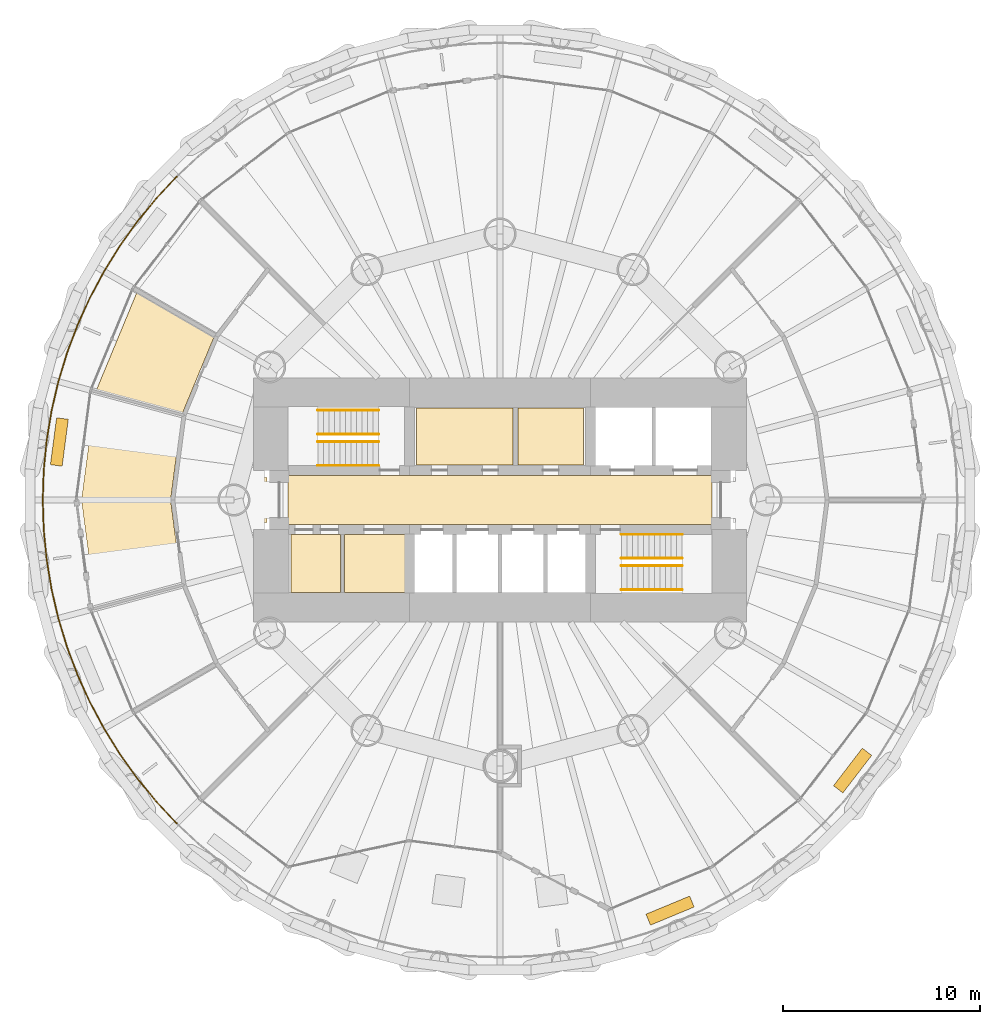
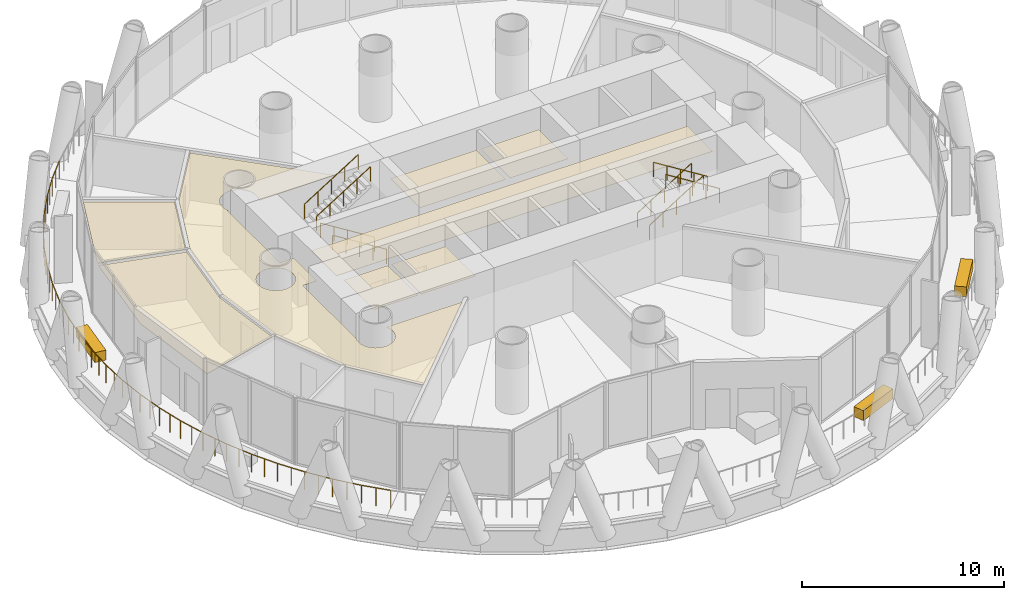
# One storey, part 13 of 15: 11 coverings, 9 railings.
"""IFC4 building model written with IfcOpenShell, lengths in metres."""

from ifc_helpers import new_model, si_unit, direction, frame, origin, origin_2d, place, context, subcontext, project, spatial, polyline, rectangle, circle, outline, extrude, material, layer, layer_set, type_object, element, save


model = new_model("IFC4")

# Units and contexts
model_context = context("Model", 3, precision=1e-05, world=origin(), true_north=direction((0.0, 1.0)))
body_context = subcontext(model_context, "Body", "Model", "MODEL_VIEW")
ifc_project = project(units=[si_unit("LENGTHUNIT", "METRE"), si_unit("AREAUNIT", "SQUARE_METRE"), si_unit("VOLUMEUNIT", "CUBIC_METRE"), si_unit("PLANEANGLEUNIT", "RADIAN"), si_unit("MASSUNIT", "GRAM", prefix="KILO")], contexts=[model_context])

# Site, building, storey
site_placement = place(None, origin())
site = spatial("IfcSite", under=ifc_project, at=site_placement, CompositionType="ELEMENT")
building_placement = place(site_placement, origin())
building = spatial("IfcBuilding", under=site, at=building_placement, Name="Qaws Media Tower", CompositionType="ELEMENT")
storey_placement = place(building_placement, frame((0.0, 0.0, 198.199951171875)))
storey = spatial("IfcBuildingStorey", under=building, at=storey_placement, Name="L45", CompositionType="ELEMENT", Elevation=198.199951171875)

# Covering
ifc_material_1 = material(Name="40 perforated acoustic panels with mineral wool backing, suspended", Category="mineral fibre")
ifc_layer_1 = layer(ifc_material_1, 0.0400390625)
ifc_layer_set_1 = layer_set([ifc_layer_1], Name="Acoustic panel ceiling 40")
covering_type_1 = type_object("IfcCoveringType", Name="Acoustic panel ceiling 40", PredefinedType="CEILING", material=ifc_layer_set_1)
covering_1_placement = place(storey_placement, frame((0.0, 0.0, 2.85009765625)))
element("IfcCovering", 1, at=covering_1_placement, inside=storey, type_object=covering_type_1, Name="CL3 ceiling L45-06 Prayer room (men)", PredefinedType="CEILING", context=body_context, shape_type="SweptSolid", body=[
    extrude(outline(polyline([(38.764892578125, 50.0), (39.473388671875, 55.383544921875), (43.84130859375, 54.21337890625), (43.28662109375, 50.0), (43.84130859375, 45.78662109375), (39.473388671875, 44.616455078125), (38.764892578125, 50.0)])), origin(), (0.0, 0.0, 1.0), 0.0400390625),
])

# Railing
ifc_material_2 = material(Name="Stainless steel and glass guard", Category="steel")
railing_type_1 = type_object("IfcRailingType", Name="Balcony guard 1100", PredefinedType="GUARDRAIL", material=ifc_material_2)
railing_placement = place(storey_placement, frame((43.59521484375, 66.40478515625, 0.0)))
element("IfcRailing", 2, at=railing_placement, inside=storey, type_object=railing_type_1, Name="GR1 balcony guard L45-2", PredefinedType="GUARDRAIL", context=body_context, shape_type="SweptSolid", body=[
    extrude(circle(Radius=0.02392578125, at=origin_2d()), frame((0.0, 0.0, 1.076171875), z_axis=(-0.683652198388, -0.729807969016, 0.0), x_axis=(0.729807969016, -0.683652198388, 0.0)), (0.0, 0.0, 1.0), 1.51806640625),
    extrude(circle(Radius=0.02392578125, at=origin_2d()), frame((-1.037841796875, -1.10791015625, 1.076171875), z_axis=(-0.634393000934, -0.773010685803, 0.0), x_axis=(0.773010685803, -0.634393000934, 0.0)), (0.0, 0.0, 1.0), 1.518310546875),
    extrude(circle(Radius=0.02392578125, at=origin_2d()), frame((-2.0009765625, -2.281494140625, 1.076171875), z_axis=(-0.582439258661, -0.812874227646, 0.0), x_axis=(0.812874227646, -0.582439258661, 0.0)), (0.0, 0.0, 1.0), 1.518310546875),
    extrude(circle(Radius=0.02392578125, at=origin_2d()), frame((-2.88525390625, -3.515625, 1.076171875), z_axis=(-0.528147294252, -0.849152775167, 0.0), x_axis=(0.849152775167, -0.528147294252, 0.0)), (0.0, 0.0, 1.0), 1.51806640625),
    extrude(circle(Radius=0.02392578125, at=origin_2d()), frame((-3.68701171875, -4.8046875, 1.076171875), z_axis=(-0.471297483953, -0.881974308934, 0.0), x_axis=(0.881974308934, -0.471297483953, 0.0)), (0.0, 0.0, 1.0), 1.518310546875),
    extrude(circle(Radius=0.02392578125, at=origin_2d()), frame((-4.402587890625, -6.143798828125, 1.076171875), z_axis=(-0.41279708395, -0.910823016553, 0.0), x_axis=(0.910823016553, -0.41279708395, 0.0)), (0.0, 0.0, 1.0), 1.518310546875),
    extrude(circle(Radius=0.02392578125, at=origin_2d()), frame((-5.029296875, -7.526611328125, 1.076171875), z_axis=(-0.352180618684, -0.935932055132, 0.0), x_axis=(0.935932055132, -0.352180618684, 0.0)), (0.0, 0.0, 1.0), 1.51806640625),
    extrude(circle(Radius=0.02392578125, at=origin_2d()), frame((-5.56396484375, -8.947509765625, 1.076171875), z_axis=(-0.290297524602, -0.956936438438, 0.0), x_axis=(0.956936438438, -0.290297524602, 0.0)), (0.0, 0.0, 1.0), 1.51806640625),
    extrude(circle(Radius=0.02392578125, at=origin_2d()), frame((-6.004638671875, -10.400146484375, 1.076171875), z_axis=(-0.227066936159, -0.973879153952, 0.0), x_axis=(0.973879153952, -0.227066936159, 0.0)), (0.0, 0.0, 1.0), 1.51806640625),
    extrude(circle(Radius=0.02392578125, at=origin_2d()), frame((-6.349365234375, -11.878662109375, 1.076171875), z_axis=(-0.162912287394, -0.986640555935, 0.0), x_axis=(0.986640555935, -0.162912287394, 0.0)), (0.0, 0.0, 1.0), 1.51806640625),
    extrude(circle(Radius=0.02392578125, at=origin_2d()), frame((-6.5966796875, -13.37646484375, 1.076171875), z_axis=(-0.098086686613, -0.995177874507, 0.0), x_axis=(0.995177874507, -0.098086686613, 0.0)), (0.0, 0.0, 1.0), 1.518310546875),
    extrude(circle(Radius=0.02392578125, at=origin_2d()), frame((-6.74560546875, -14.887451171875, 1.076171875), z_axis=(-0.032645502765, -0.999466993527, 0.0), x_axis=(0.999466993527, -0.032645502765, 0.0)), (0.0, 0.0, 1.0), 1.51806640625),
    extrude(circle(Radius=0.02392578125, at=origin_2d()), frame((-6.795166015625, -16.40478515625, 1.076171875), z_axis=(0.032645502765, -0.999466993527, 0.0), x_axis=(0.999466993527, 0.032645502765, 0.0)), (0.0, 0.0, 1.0), 1.51806640625),
    extrude(circle(Radius=0.02392578125, at=origin_2d()), frame((-6.74560546875, -17.922119140625, 1.076171875), z_axis=(0.098086686613, -0.995177874507, 0.0), x_axis=(0.995177874507, 0.098086686613, 0.0)), (0.0, 0.0, 1.0), 1.518310546875),
    extrude(circle(Radius=0.02392578125, at=origin_2d()), frame((-6.5966796875, -19.43310546875, 1.076171875), z_axis=(0.162912287394, -0.986640555935, 0.0), x_axis=(0.986640555935, 0.162912287394, 0.0)), (0.0, 0.0, 1.0), 1.51806640625),
    extrude(circle(Radius=0.02392578125, at=origin_2d()), frame((-6.349365234375, -20.930908203125, 1.076171875), z_axis=(0.227066936159, -0.973879153952, 0.0), x_axis=(0.973879153952, 0.227066936159, 0.0)), (0.0, 0.0, 1.0), 1.51806640625),
    extrude(circle(Radius=0.02392578125, at=origin_2d()), frame((-6.004638671875, -22.409423828125, 1.076171875), z_axis=(0.290297524602, -0.956936438438, 0.0), x_axis=(0.956936438438, 0.290297524602, 0.0)), (0.0, 0.0, 1.0), 1.51806640625),
    extrude(circle(Radius=0.02392578125, at=origin_2d()), frame((-5.56396484375, -23.862060546875, 1.076171875), z_axis=(0.352180618684, -0.935932055132, 0.0), x_axis=(0.935932055132, 0.352180618684, 0.0)), (0.0, 0.0, 1.0), 1.51806640625),
    extrude(circle(Radius=0.02392578125, at=origin_2d()), frame((-5.029296875, -25.282958984375, 1.076171875), z_axis=(0.41279708395, -0.910823016553, 0.0), x_axis=(0.910823016553, 0.41279708395, 0.0)), (0.0, 0.0, 1.0), 1.518310546875),
    extrude(circle(Radius=0.02392578125, at=origin_2d()), frame((-4.402587890625, -26.665771484375, 1.076171875), z_axis=(0.471297483953, -0.881974308934, 0.0), x_axis=(0.881974308934, 0.471297483953, 0.0)), (0.0, 0.0, 1.0), 1.518310546875),
    extrude(circle(Radius=0.02392578125, at=origin_2d()), frame((-3.68701171875, -28.0048828125, 1.076171875), z_axis=(0.528147294252, -0.849152775167, 0.0), x_axis=(0.849152775167, 0.528147294252, 0.0)), (0.0, 0.0, 1.0), 1.51806640625),
    extrude(circle(Radius=0.02392578125, at=origin_2d()), frame((-2.88525390625, -29.2939453125, 1.076171875), z_axis=(0.582439258661, -0.812874227646, 0.0), x_axis=(0.812874227646, 0.582439258661, 0.0)), (0.0, 0.0, 1.0), 1.518310546875),
    extrude(circle(Radius=0.02392578125, at=origin_2d()), frame((-2.0009765625, -30.528076171875, 1.076171875), z_axis=(0.634393000934, -0.773010685803, 0.0), x_axis=(0.773010685803, 0.634393000934, 0.0)), (0.0, 0.0, 1.0), 1.518310546875),
    extrude(circle(Radius=0.02392578125, at=origin_2d()), frame((-1.037841796875, -31.70166015625, 1.076171875), z_axis=(0.683652198388, -0.729807969016, 0.0), x_axis=(0.729807969016, 0.683652198388, 0.0)), (0.0, 0.0, 1.0), 1.51806640625),
    extrude(circle(Radius=0.02099609375, at=origin_2d()), origin(), (0.0, 0.0, 1.0), 1.052001953125),
    extrude(circle(Radius=0.02099609375, at=origin_2d()), frame((-0.51904296875, -0.553955078125, 0.0)), (0.0, 0.0, 1.0), 1.052001953125),
    extrude(circle(Radius=0.02099609375, at=origin_2d()), frame((-1.037841796875, -1.10791015625, 0.0)), (0.0, 0.0, 1.0), 1.052001953125),
    extrude(circle(Radius=0.02099609375, at=origin_2d()), frame((-1.51953125, -1.69482421875, 0.0)), (0.0, 0.0, 1.0), 1.052001953125),
    extrude(circle(Radius=0.02099609375, at=origin_2d()), frame((-2.0009765625, -2.281494140625, 0.0)), (0.0, 0.0, 1.0), 1.052001953125),
    extrude(circle(Radius=0.02099609375, at=origin_2d()), frame((-2.443115234375, -2.8984375, 0.0)), (0.0, 0.0, 1.0), 1.052001953125),
    extrude(circle(Radius=0.02099609375, at=origin_2d()), frame((-2.88525390625, -3.515625, 0.0)), (0.0, 0.0, 1.0), 1.052001953125),
    extrude(circle(Radius=0.02099609375, at=origin_2d()), frame((-3.2861328125, -4.16015625, 0.0)), (0.0, 0.0, 1.0), 1.052001953125),
    extrude(circle(Radius=0.02099609375, at=origin_2d()), frame((-3.68701171875, -4.8046875, 0.0)), (0.0, 0.0, 1.0), 1.052001953125),
    extrude(circle(Radius=0.02099609375, at=origin_2d()), frame((-4.044921875, -5.47412109375, 0.0)), (0.0, 0.0, 1.0), 1.052001953125),
    extrude(circle(Radius=0.02099609375, at=origin_2d()), frame((-4.402587890625, -6.143798828125, 0.0)), (0.0, 0.0, 1.0), 1.052001953125),
    extrude(circle(Radius=0.02099609375, at=origin_2d()), frame((-4.7158203125, -6.835205078125, 0.0)), (0.0, 0.0, 1.0), 1.052001953125),
    extrude(circle(Radius=0.02099609375, at=origin_2d()), frame((-5.029296875, -7.526611328125, 0.0)), (0.0, 0.0, 1.0), 1.052001953125),
    extrude(circle(Radius=0.02099609375, at=origin_2d()), frame((-5.296630859375, -8.237060546875, 0.0)), (0.0, 0.0, 1.0), 1.052001953125),
    extrude(circle(Radius=0.02099609375, at=origin_2d()), frame((-5.56396484375, -8.947509765625, 0.0)), (0.0, 0.0, 1.0), 1.052001953125),
    extrude(circle(Radius=0.02099609375, at=origin_2d()), frame((-5.7841796875, -9.673828125, 0.0)), (0.0, 0.0, 1.0), 1.052001953125),
    extrude(circle(Radius=0.02099609375, at=origin_2d()), frame((-6.004638671875, -10.400146484375, 0.0)), (0.0, 0.0, 1.0), 1.052001953125),
    extrude(circle(Radius=0.02099609375, at=origin_2d()), frame((-6.177001953125, -11.139404296875, 0.0)), (0.0, 0.0, 1.0), 1.052001953125),
    extrude(circle(Radius=0.02099609375, at=origin_2d()), frame((-6.349365234375, -11.878662109375, 0.0)), (0.0, 0.0, 1.0), 1.052001953125),
    extrude(circle(Radius=0.02099609375, at=origin_2d()), frame((-6.47314453125, -12.62744140625, 0.0)), (0.0, 0.0, 1.0), 1.052001953125),
    extrude(circle(Radius=0.02099609375, at=origin_2d()), frame((-6.5966796875, -13.37646484375, 0.0)), (0.0, 0.0, 1.0), 1.052001953125),
    extrude(circle(Radius=0.02099609375, at=origin_2d()), frame((-6.671142578125, -14.1318359375, 0.0)), (0.0, 0.0, 1.0), 1.052001953125),
    extrude(circle(Radius=0.02099609375, at=origin_2d()), frame((-6.74560546875, -14.887451171875, 0.0)), (0.0, 0.0, 1.0), 1.052001953125),
    extrude(circle(Radius=0.02099609375, at=origin_2d()), frame((-6.7705078125, -15.64599609375, 0.0)), (0.0, 0.0, 1.0), 1.052001953125),
    extrude(circle(Radius=0.02099609375, at=origin_2d()), frame((-6.795166015625, -16.40478515625, 0.0)), (0.0, 0.0, 1.0), 1.052001953125),
    extrude(circle(Radius=0.02099609375, at=origin_2d()), frame((-6.7705078125, -17.16357421875, 0.0)), (0.0, 0.0, 1.0), 1.052001953125),
    extrude(circle(Radius=0.02099609375, at=origin_2d()), frame((-6.74560546875, -17.922119140625, 0.0)), (0.0, 0.0, 1.0), 1.052001953125),
    extrude(circle(Radius=0.02099609375, at=origin_2d()), frame((-6.671142578125, -18.677734375, 0.0)), (0.0, 0.0, 1.0), 1.052001953125),
    extrude(circle(Radius=0.02099609375, at=origin_2d()), frame((-6.5966796875, -19.43310546875, 0.0)), (0.0, 0.0, 1.0), 1.052001953125),
    extrude(circle(Radius=0.02099609375, at=origin_2d()), frame((-6.47314453125, -20.18212890625, 0.0)), (0.0, 0.0, 1.0), 1.052001953125),
    extrude(circle(Radius=0.02099609375, at=origin_2d()), frame((-6.349365234375, -20.930908203125, 0.0)), (0.0, 0.0, 1.0), 1.052001953125),
    extrude(circle(Radius=0.02099609375, at=origin_2d()), frame((-6.177001953125, -21.670166015625, 0.0)), (0.0, 0.0, 1.0), 1.052001953125),
    extrude(circle(Radius=0.02099609375, at=origin_2d()), frame((-6.004638671875, -22.409423828125, 0.0)), (0.0, 0.0, 1.0), 1.052001953125),
    extrude(circle(Radius=0.02099609375, at=origin_2d()), frame((-5.7841796875, -23.1357421875, 0.0)), (0.0, 0.0, 1.0), 1.052001953125),
    extrude(circle(Radius=0.02099609375, at=origin_2d()), frame((-5.56396484375, -23.862060546875, 0.0)), (0.0, 0.0, 1.0), 1.052001953125),
    extrude(circle(Radius=0.02099609375, at=origin_2d()), frame((-5.296630859375, -24.572509765625, 0.0)), (0.0, 0.0, 1.0), 1.052001953125),
    extrude(circle(Radius=0.02099609375, at=origin_2d()), frame((-5.029296875, -25.282958984375, 0.0)), (0.0, 0.0, 1.0), 1.052001953125),
    extrude(circle(Radius=0.02099609375, at=origin_2d()), frame((-4.7158203125, -25.974365234375, 0.0)), (0.0, 0.0, 1.0), 1.052001953125),
    extrude(circle(Radius=0.02099609375, at=origin_2d()), frame((-4.402587890625, -26.665771484375, 0.0)), (0.0, 0.0, 1.0), 1.052001953125),
    extrude(circle(Radius=0.02099609375, at=origin_2d()), frame((-4.044921875, -27.33544921875, 0.0)), (0.0, 0.0, 1.0), 1.052001953125),
    extrude(circle(Radius=0.02099609375, at=origin_2d()), frame((-3.68701171875, -28.0048828125, 0.0)), (0.0, 0.0, 1.0), 1.052001953125),
    extrude(circle(Radius=0.02099609375, at=origin_2d()), frame((-3.2861328125, -28.6494140625, 0.0)), (0.0, 0.0, 1.0), 1.052001953125),
    extrude(circle(Radius=0.02099609375, at=origin_2d()), frame((-2.88525390625, -29.2939453125, 0.0)), (0.0, 0.0, 1.0), 1.052001953125),
    extrude(circle(Radius=0.02099609375, at=origin_2d()), frame((-2.443115234375, -29.9111328125, 0.0)), (0.0, 0.0, 1.0), 1.052001953125),
    extrude(circle(Radius=0.02099609375, at=origin_2d()), frame((-2.0009765625, -30.528076171875, 0.0)), (0.0, 0.0, 1.0), 1.052001953125),
    extrude(circle(Radius=0.02099609375, at=origin_2d()), frame((-1.51953125, -31.11474609375, 0.0)), (0.0, 0.0, 1.0), 1.052001953125),
    extrude(circle(Radius=0.02099609375, at=origin_2d()), frame((-1.037841796875, -31.70166015625, 0.0)), (0.0, 0.0, 1.0), 1.052001953125),
    extrude(circle(Radius=0.02099609375, at=origin_2d()), frame((-0.51904296875, -32.255615234375, 0.0)), (0.0, 0.0, 1.0), 1.052001953125),
    extrude(circle(Radius=0.02099609375, at=origin_2d()), frame((0.0, -32.8095703125, 0.0)), (0.0, 0.0, 1.0), 1.052001953125),
])

# Coverings
ifc_material_3 = material(Name="600 x 600 mineral fibre tiles in exposed grid, suspended", Category="mineral fibre")
ifc_layer_2 = layer(ifc_material_3, 0.02001953125)
ifc_layer_set_2 = layer_set([ifc_layer_2], Name="Mineral fibre tile ceiling 20")
covering_type_2 = type_object("IfcCoveringType", Name="Mineral fibre tile ceiling 20", PredefinedType="CEILING", material=ifc_layer_set_2)
covering_2_placement = place(storey_placement, frame((0.0, 0.0, 2.85009765625)))
element("IfcCovering", 3, at=covering_2_placement, inside=storey, type_object=covering_type_2, Name="CL1 ceiling L45-C07 Gents toilets", PredefinedType="CEILING", context=body_context, shape_type="SweptSolid", body=[
    extrude(outline(polyline([(55.77001953125, 51.77001953125), (55.77001953125, 54.679931640625), (60.6708984375, 54.679931640625), (60.6708984375, 51.77001953125), (55.77001953125, 51.77001953125)])), origin(), (0.0, 0.0, 1.0), 0.02001953125),
])
covering_3_placement = place(storey_placement, frame((0.0, 0.0, 2.85009765625)))
element("IfcCovering", 4, at=covering_3_placement, inside=storey, type_object=covering_type_2, Name="CL1 ceiling L45-C08 Ladies toilets", PredefinedType="CEILING", context=body_context, shape_type="SweptSolid", body=[
    extrude(outline(polyline([(60.910888671875, 51.77001953125), (60.910888671875, 54.679931640625), (64.22998046875, 54.679931640625), (64.22998046875, 51.77001953125), (60.910888671875, 51.77001953125)])), origin(), (0.0, 0.0, 1.0), 0.02001953125),
])
covering_4_placement = place(storey_placement, frame((0.0, 0.0, 2.85009765625)))
element("IfcCovering", 5, at=covering_4_placement, inside=storey, type_object=covering_type_2, Name="CL1 ceiling L45-01 Corridor", PredefinedType="CEILING", context=body_context, shape_type="SweptSolid", body=[
    extrude(outline(polyline([(44.0751953125, 54.26708984375), (45.72216796875, 58.243408203125), (48.273193359375, 61.567626953125), (53.5283203125, 56.3125), (49.175537109375, 56.3125), (49.20751953125, 56.377685546875), (49.24853515625, 56.498291015625), (49.273193359375, 56.623046875), (49.28173828125, 56.75), (49.273193359375, 56.876953125), (49.24853515625, 57.001708984375), (49.20751953125, 57.122314453125), (49.1513671875, 57.236572265625), (49.08056640625, 57.34228515625), (48.99658203125, 57.43798828125), (48.90087890625, 57.52197265625), (48.795166015625, 57.592529296875), (48.680908203125, 57.64892578125), (48.560546875, 57.689697265625), (48.435791015625, 57.714599609375), (48.30859375, 57.722900390625), (48.181640625, 57.714599609375), (48.056884765625, 57.689697265625), (47.936279296875, 57.64892578125), (47.822265625, 57.592529296875), (47.71630859375, 57.52197265625), (47.62060546875, 57.43798828125), (47.53662109375, 57.34228515625), (47.466064453125, 57.236572265625), (47.40966796875, 57.122314453125), (47.368896484375, 57.001708984375), (47.343994140625, 56.876953125), (47.335693359375, 56.75), (47.343994140625, 56.623046875), (47.368896484375, 56.498291015625), (47.40966796875, 56.377685546875), (47.44189453125, 56.3125), (47.387451171875, 56.3125), (47.387451171875, 51.137451171875), (48.1875, 51.137451171875), (48.1875, 48.862548828125), (47.387451171875, 48.862548828125), (47.387451171875, 43.6875), (47.44189453125, 43.6875), (47.40966796875, 43.622314453125), (47.368896484375, 43.501708984375), (47.343994140625, 43.376953125), (47.335693359375, 43.25), (47.343994140625, 43.123046875), (47.368896484375, 42.998291015625), (47.40966796875, 42.877685546875), (47.466064453125, 42.763427734375), (47.53662109375, 42.65771484375), (47.62060546875, 42.56201171875), (47.71630859375, 42.47802734375), (47.822265625, 42.407470703125), (47.936279296875, 42.35107421875), (48.056884765625, 42.310302734375), (48.181640625, 42.285400390625), (48.30859375, 42.277099609375), (48.435791015625, 42.285400390625), (48.560546875, 42.310302734375), (48.680908203125, 42.35107421875), (48.795166015625, 42.407470703125), (48.90087890625, 42.47802734375), (48.99658203125, 42.56201171875), (49.08056640625, 42.65771484375), (49.1513671875, 42.763427734375), (49.20751953125, 42.877685546875), (49.24853515625, 42.998291015625), (49.273193359375, 43.123046875), (49.28173828125, 43.25), (49.273193359375, 43.376953125), (49.24853515625, 43.501708984375), (49.20751953125, 43.622314453125), (49.175537109375, 43.6875), (53.5283203125, 43.6875), (48.273193359375, 38.432373046875), (45.72216796875, 41.756591796875), (44.0751953125, 45.73291015625), (43.513427734375, 50.0), (44.0751953125, 54.26708984375)]), holes=[polyline([(47.39892578125, 49.627685546875), (47.439697265625, 49.748291015625), (47.464599609375, 49.873046875), (47.472900390625, 50.0), (47.464599609375, 50.126953125), (47.439697265625, 50.251708984375), (47.39892578125, 50.372314453125), (47.342529296875, 50.486572265625), (47.27197265625, 50.59228515625), (47.18798828125, 50.68798828125), (47.09228515625, 50.77197265625), (46.986572265625, 50.842529296875), (46.872314453125, 50.89892578125), (46.751708984375, 50.939697265625), (46.626953125, 50.964599609375), (46.5, 50.972900390625), (46.373046875, 50.964599609375), (46.248291015625, 50.939697265625), (46.127685546875, 50.89892578125), (46.013427734375, 50.842529296875), (45.90771484375, 50.77197265625), (45.81201171875, 50.68798828125), (45.72802734375, 50.59228515625), (45.657470703125, 50.486572265625), (45.60107421875, 50.372314453125), (45.560302734375, 50.251708984375), (45.535400390625, 50.126953125), (45.527099609375, 50.0), (45.535400390625, 49.873046875), (45.560302734375, 49.748291015625), (45.60107421875, 49.627685546875), (45.657470703125, 49.513427734375), (45.72802734375, 49.40771484375), (45.81201171875, 49.31201171875), (45.90771484375, 49.22802734375), (46.013427734375, 49.157470703125), (46.127685546875, 49.10107421875), (46.248291015625, 49.060302734375), (46.373046875, 49.035400390625), (46.5, 49.027099609375), (46.626953125, 49.035400390625), (46.751708984375, 49.060302734375), (46.872314453125, 49.10107421875), (46.986572265625, 49.157470703125), (47.09228515625, 49.22802734375), (47.18798828125, 49.31201171875), (47.27197265625, 49.40771484375), (47.342529296875, 49.513427734375), (47.39892578125, 49.627685546875)])]), origin(), (0.0, 0.0, 1.0), 0.02001953125),
])
covering_5_placement = place(storey_placement, frame((0.0, 0.0, 2.85009765625)))
element("IfcCovering", 6, at=covering_5_placement, inside=storey, type_object=covering_type_2, Name="CL1 ceiling L45-C04 Shower room", PredefinedType="CEILING", context=body_context, shape_type="SweptSolid", body=[
    extrude(outline(polyline([(49.39990234375, 45.300048828125), (49.39990234375, 48.25), (51.89990234375, 48.25), (51.89990234375, 45.300048828125), (49.39990234375, 45.300048828125)])), origin(), (0.0, 0.0, 1.0), 0.02001953125),
])
ifc_material_4 = material(Name="Precast concrete planter with trailing planting", Category="concrete")
ifc_layer_3 = layer(ifc_material_4, 0.60009765625)
ifc_layer_set_3 = layer_set([ifc_layer_3], Name="Planter 2400x600")
covering_type_3 = type_object("IfcCoveringType", Name="Planter 2400x600", PredefinedType="USERDEFINED", material=ifc_layer_set_3)
for number, where, z_axis, x_axis, name in (
    (7, (37.642822265625, 52.943359375, 0.0), (0.0, 0.0, 1.0), (-0.13052619222, -0.991444861374, 0.0), "PL1 balcony planter L45-06"),
    (8, (68.62939453125, 29.16650390625, 0.0), (0.0, 0.0, 1.0), (0.923879532511, 0.382683432365, 0.0), "PL1 balcony planter L45-10"),
    (9, (77.89013671875, 36.2724609375, 0.0), (0.0, 0.0, 1.0), (0.608761429009, 0.793353340291, 0.0), "PL1 balcony planter L45-11"),
):
    element("IfcCovering", number, at=place(storey_placement, frame(where, z_axis=z_axis, x_axis=x_axis)), inside=storey, type_object=covering_type_3, Name=name, ObjectType="PLANTER", PredefinedType="USERDEFINED", context=body_context, shape_type="SweptSolid", body=[
        extrude(rectangle(XDim=2.39990234375, YDim=0.60009765625, at=origin_2d()), origin(), (0.0, 0.0, 1.0), 0.60009765625),
    ])
ifc_material_5 = material(Name="Two layers 12.5 moisture-resistant plasterboard on suspended metal furring", Category="gypsum")
ifc_layer_4 = layer(ifc_material_5, 0.02490234375)
ifc_layer_set_4 = layer_set([ifc_layer_4], Name="Plasterboard ceiling 25")
covering_type_4 = type_object("IfcCoveringType", Name="Plasterboard ceiling 25", PredefinedType="CEILING", material=ifc_layer_set_4)
covering_6_placement = place(storey_placement, frame((0.0, 0.0, 2.85009765625)))
element("IfcCovering", 10, at=covering_6_placement, inside=storey, type_object=covering_type_4, Name="CL2 ceiling L45-C01 Lift lobby", PredefinedType="CEILING", context=body_context, shape_type="SweptSolid", body=[
    extrude(outline(polyline([(49.25, 48.75), (49.25, 51.25), (70.75, 51.25), (70.75, 48.75), (49.25, 48.75)])), origin(), (0.0, 0.0, 1.0), 0.02490234375),
])
covering_7_placement = place(storey_placement, frame((0.0, 0.0, 2.85009765625)))
element("IfcCovering", 11, at=covering_7_placement, inside=storey, type_object=covering_type_4, Name="CL2 ceiling L45-05 Changing room (women)", PredefinedType="CEILING", context=body_context, shape_type="SweptSolid", body=[
    extrude(outline(polyline([(41.56640625, 60.5126953125), (45.482421875, 58.251953125), (43.8994140625, 54.4306640625), (39.53173828125, 55.600830078125), (41.56640625, 60.5126953125)])), origin(), (0.0, 0.0, 1.0), 0.02490234375),
])
covering_8_placement = place(storey_placement, frame((0.0, 0.0, 2.85009765625)))
element("IfcCovering", 12, at=covering_8_placement, inside=storey, type_object=covering_type_4, Name="CL2 ceiling L45-C05 Accessible WC", PredefinedType="CEILING", context=body_context, shape_type="SweptSolid", body=[
    extrude(outline(polyline([(52.10009765625, 45.300048828125), (52.10009765625, 48.25), (55.199951171875, 48.25), (55.199951171875, 45.300048828125), (52.10009765625, 45.300048828125)])), origin(), (0.0, 0.0, 1.0), 0.02490234375),
])

# Railings
ifc_material_6 = material(Name="Steel tube handrail", Category="steel")
railing_type_2 = type_object("IfcRailingType", Name="Stair handrail 900", PredefinedType="HANDRAIL", material=ifc_material_6)
for number, where, name in (
    (13, (53.840087890625, 51.75, 0.175048828125), "HR1 handrail S1 flight 1 L45"),
    (14, (53.840087890625, 52.9599609375, 0.175048828125), "HR1 handrail S1 flight 1 L45"),
):
    element("IfcRailing", number, at=place(storey_placement, frame(where)), inside=storey, type_object=railing_type_2, Name=name, PredefinedType="HANDRAIL", context=body_context, shape_type="SweptSolid", body=[
        extrude(circle(Radius=0.02392578125, at=origin_2d()), frame((0.0, 0.0, 0.8759765625), z_axis=(-0.847998304005, 0.0, 0.529998940003), x_axis=(0.0, -1.0, 0.0)), (0.0, 0.0, 1.0), 3.632080078125),
        extrude(circle(Radius=0.02099609375, at=origin_2d()), origin(), (0.0, 0.0, 1.0), 0.851806640625),
        extrude(circle(Radius=0.02099609375, at=origin_2d()), frame((-0.77001953125, 0.0, 0.481201171875)), (0.0, 0.0, 1.0), 0.851806640625),
        extrude(circle(Radius=0.02099609375, at=origin_2d()), frame((-1.5400390625, 0.0, 0.96240234375)), (0.0, 0.0, 1.0), 0.851806640625),
        extrude(circle(Radius=0.02099609375, at=origin_2d()), frame((-2.31005859375, 0.0, 1.44384765625)), (0.0, 0.0, 1.0), 0.851806640625),
        extrude(circle(Radius=0.02099609375, at=origin_2d()), frame((-3.080078125, 0.0, 1.925048828125)), (0.0, 0.0, 1.0), 0.851806640625),
    ])
for number, where, name in (
    (15, (50.760009765625, 54.550048828125, 2.275146484375), "HR1 handrail S1 flight 2 L45"),
    (16, (50.760009765625, 53.340087890625, 2.275146484375), "HR1 handrail S1 flight 2 L45"),
):
    element("IfcRailing", number, at=place(storey_placement, frame(where)), inside=storey, type_object=railing_type_2, Name=name, PredefinedType="HANDRAIL", context=body_context, shape_type="SweptSolid", body=[
        extrude(circle(Radius=0.02392578125, at=origin_2d()), frame((0.0, 0.0, 0.8759765625), z_axis=(0.848028513186, 0.0, 0.529950602248), x_axis=(0.0, 1.0, 0.0)), (0.0, 0.0, 1.0), 3.632080078125),
        extrude(circle(Radius=0.02099609375, at=origin_2d()), origin(), (0.0, 0.0, 1.0), 0.851806640625),
        extrude(circle(Radius=0.02099609375, at=origin_2d()), frame((0.77001953125, 0.0, 0.481201171875)), (0.0, 0.0, 1.0), 0.851806640625),
        extrude(circle(Radius=0.02099609375, at=origin_2d()), frame((1.5400390625, 0.0, 0.96240234375)), (0.0, 0.0, 1.0), 0.851806640625),
        extrude(circle(Radius=0.02099609375, at=origin_2d()), frame((2.31005859375, 0.0, 1.443603515625)), (0.0, 0.0, 1.0), 0.851806640625),
        extrude(circle(Radius=0.02099609375, at=origin_2d()), frame((3.080078125, 0.0, 1.9248046875)), (0.0, 0.0, 1.0), 0.851806640625),
    ])
for number, where, name in (
    (17, (66.159912109375, 48.25, 0.175048828125), "HR1 handrail S2 flight 1 L45"),
    (18, (66.159912109375, 47.0400390625, 0.175048828125), "HR1 handrail S2 flight 1 L45"),
):
    element("IfcRailing", number, at=place(storey_placement, frame(where)), inside=storey, type_object=railing_type_2, Name=name, PredefinedType="HANDRAIL", context=body_context, shape_type="SweptSolid", body=[
        extrude(circle(Radius=0.02392578125, at=origin_2d()), frame((0.0, 0.0, 0.8759765625), z_axis=(0.847998304005, 0.0, 0.529998940003), x_axis=(0.0, 1.0, 0.0)), (0.0, 0.0, 1.0), 3.632080078125),
        extrude(circle(Radius=0.02099609375, at=origin_2d()), origin(), (0.0, 0.0, 1.0), 0.851806640625),
        extrude(circle(Radius=0.02099609375, at=origin_2d()), frame((0.77001953125, 0.0, 0.481201171875)), (0.0, 0.0, 1.0), 0.851806640625),
        extrude(circle(Radius=0.02099609375, at=origin_2d()), frame((1.5400390625, 0.0, 0.96240234375)), (0.0, 0.0, 1.0), 0.851806640625),
        extrude(circle(Radius=0.02099609375, at=origin_2d()), frame((2.31005859375, 0.0, 1.44384765625)), (0.0, 0.0, 1.0), 0.851806640625),
        extrude(circle(Radius=0.02099609375, at=origin_2d()), frame((3.080078125, 0.0, 1.925048828125)), (0.0, 0.0, 1.0), 0.851806640625),
    ])
for number, where, name in (
    (19, (69.239990234375, 45.449951171875, 2.275146484375), "HR1 handrail S2 flight 2 L45"),
    (20, (69.239990234375, 46.659912109375, 2.275146484375), "HR1 handrail S2 flight 2 L45"),
):
    element("IfcRailing", number, at=place(storey_placement, frame(where)), inside=storey, type_object=railing_type_2, Name=name, PredefinedType="HANDRAIL", context=body_context, shape_type="SweptSolid", body=[
        extrude(circle(Radius=0.02392578125, at=origin_2d()), frame((0.0, 0.0, 0.8759765625), z_axis=(-0.848028513186, 0.0, 0.529950602248), x_axis=(0.0, -1.0, 0.0)), (0.0, 0.0, 1.0), 3.632080078125),
        extrude(circle(Radius=0.02099609375, at=origin_2d()), origin(), (0.0, 0.0, 1.0), 0.851806640625),
        extrude(circle(Radius=0.02099609375, at=origin_2d()), frame((-0.77001953125, 0.0, 0.481201171875)), (0.0, 0.0, 1.0), 0.851806640625),
        extrude(circle(Radius=0.02099609375, at=origin_2d()), frame((-1.5400390625, 0.0, 0.96240234375)), (0.0, 0.0, 1.0), 0.851806640625),
        extrude(circle(Radius=0.02099609375, at=origin_2d()), frame((-2.31005859375, 0.0, 1.443603515625)), (0.0, 0.0, 1.0), 0.851806640625),
        extrude(circle(Radius=0.02099609375, at=origin_2d()), frame((-3.080078125, 0.0, 1.9248046875)), (0.0, 0.0, 1.0), 0.851806640625),
    ])

save(model, "model.ifc")
